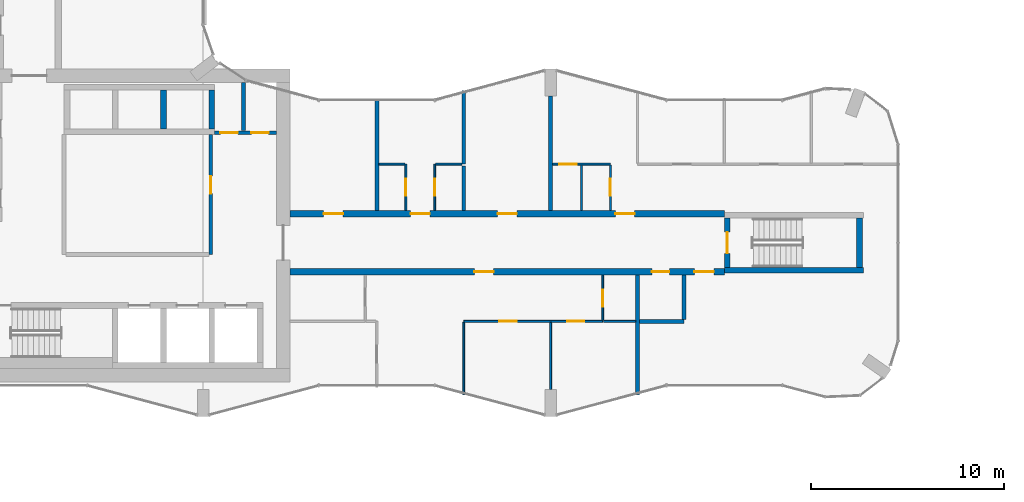
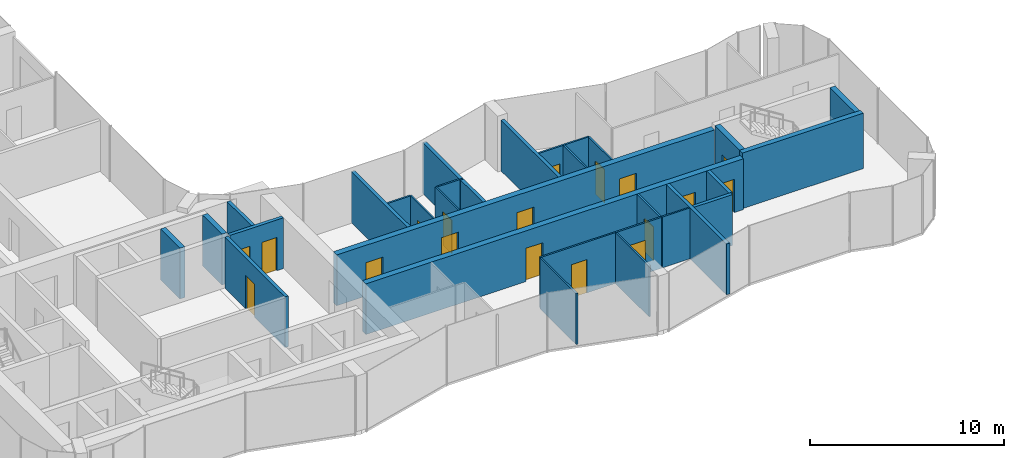
# One storey, part 14 of 22: 29 walls, 18 doors, 18 openings.
"""IFC4 building model written with IfcOpenShell, lengths in metres."""

from ifc_helpers import new_model, si_unit, direction, frame, frame_2d, origin, place, context, subcontext, project, spatial, rectangle, extrude, material, layer, layer_set, type_object, element, fill, save


model = new_model("IFC4")

# Units and contexts
model_context = context("Model", 3, precision=1e-05, world=origin(), true_north=direction((0.0, 1.0)))
body_context = subcontext(model_context, "Body", "Model", "MODEL_VIEW")
ifc_project = project(units=[si_unit("LENGTHUNIT", "METRE"), si_unit("AREAUNIT", "SQUARE_METRE"), si_unit("VOLUMEUNIT", "CUBIC_METRE"), si_unit("PLANEANGLEUNIT", "RADIAN"), si_unit("MASSUNIT", "GRAM", prefix="KILO")], contexts=[model_context])

# Site, building, storey
site_placement = place(None, origin())
site = spatial("IfcSite", under=ifc_project, at=site_placement, CompositionType="ELEMENT")
building_placement = place(site_placement, origin())
building = spatial("IfcBuilding", under=site, at=building_placement, Name="Plateau Cross Towers", CompositionType="ELEMENT")
storey_placement = place(building_placement, frame((0.0, 0.0, 68.800048828125)))
storey = spatial("IfcBuildingStorey", under=building, at=storey_placement, Name="L17", CompositionType="ELEMENT", Elevation=68.800048828125)

# Wall, opening, door
ifc_material_1 = material(Name="Concrete block, plastered both sides", Category="concrete")
ifc_layer_1 = layer(ifc_material_1, 0.199951171875)
ifc_layer_set_1 = layer_set([ifc_layer_1], Name="Concrete block, plastered both sides")
wall_type_1 = type_object("IfcWallType", Name="Core partition 200", PredefinedType="PARTITIONING", material=ifc_layer_set_1)
wall_1_placement = place(storey_placement, frame((18.39990234375, 8.39990234375, 0.0), z_axis=(0.0, 0.0, 1.0), x_axis=(0.0, 1.0, 0.0)))
wall_1 = element("IfcWall", 1, at=wall_1_placement, inside=storey, type_object=wall_type_1, Name="Core partition", PredefinedType="PARTITIONING", context=body_context, shape_type="SweptSolid", body=[
    extrude(rectangle(XDim=6.2001953125, YDim=0.199951171875, at=frame_2d((3.10009765625, 0.0))), origin(), (0.0, 0.0, 1.0), 3.199951171875),
])
opening_1_placement = place(wall_1_placement, frame((3.14990234375, 0.0, 0.0)))
opening_1 = element("IfcOpeningElement", 2, at=opening_1_placement, cuts=wall_1, Name="Opening RD1", PredefinedType="OPENING", context=body_context, shape_type="SweptSolid", body=[
    extrude(rectangle(XDim=0.89990234375, YDim=2.10009765625, at=frame_2d((0.449951171875, 1.050048828125))), frame((0.0, 0.10986328125, 0.0), z_axis=(0.0, -1.0, 0.0), x_axis=(1.0, 0.0, 0.0)), (0.0, 0.0, 1.0), 0.219970703125),
])
ifc_material_2 = material(Name="Timber, fire-resisting leaf", Category="wood")
door_type_1 = type_object("IfcDoorType", Name="Core service door 900", OperationType="NOTDEFINED", PredefinedType="DOOR", material=ifc_material_2)
door_1_placement = place(opening_1_placement, origin())
door_1 = element("IfcDoor", 3, at=door_1_placement, inside=storey, type_object=door_type_1, Name="Core service door RD1", OperationType="SINGLE_SWING_LEFT", OverallHeight=2.10009765625, OverallWidth=0.89990234375, PredefinedType="DOOR", context=body_context, shape_type="SweptSolid", body=[
    extrude(rectangle(XDim=0.89990234375, YDim=2.10009765625, at=frame_2d((0.449951171875, 1.050048828125))), frame((0.0, 0.02490234375, 0.0), z_axis=(0.0, -1.0, 0.0), x_axis=(1.0, 0.0, 0.0)), (0.0, 0.0, 1.0), 0.050048828125),
])
fill(opening_1, door_1)

# Wall, openings, doors
wall_2_placement = place(storey_placement, frame((18.60009765625, 14.699951171875, 0.0), z_axis=(0.0, 0.0, 1.0), x_axis=(1.0, 0.0, 0.0)))
wall_2 = element("IfcWall", 4, at=wall_2_placement, inside=storey, type_object=wall_type_1, Name="Core partition", PredefinedType="PARTITIONING", context=body_context, shape_type="SweptSolid", body=[
    extrude(rectangle(XDim=3.199951171875, YDim=0.199951171875, at=frame_2d((1.60009765625, 0.0))), origin(), (0.0, 0.0, 1.0), 3.199951171875),
])
opening_2_placement = place(wall_2_placement, frame((0.300048828125, 0.0, 0.0)))
opening_2 = element("IfcOpeningElement", 5, at=opening_2_placement, cuts=wall_2, Name="Opening RD2", PredefinedType="OPENING", context=body_context, shape_type="SweptSolid", body=[
    extrude(rectangle(XDim=0.89990234375, YDim=2.10009765625, at=frame_2d((0.449951171875, 1.050048828125))), frame((0.0, 0.10986328125, 0.0), z_axis=(0.0, -1.0, 0.0), x_axis=(1.0, 0.0, 0.0)), (0.0, 0.0, 1.0), 0.219970703125),
])
opening_3_placement = place(wall_2_placement, frame((1.89990234375, 0.0, 0.0)))
opening_3 = element("IfcOpeningElement", 6, at=opening_3_placement, cuts=wall_2, Name="Opening RD2", PredefinedType="OPENING", context=body_context, shape_type="SweptSolid", body=[
    extrude(rectangle(XDim=0.89990234375, YDim=2.10009765625, at=frame_2d((0.449951171875, 1.050048828125))), frame((0.0, 0.10986328125, 0.0), z_axis=(0.0, -1.0, 0.0), x_axis=(1.0, 0.0, 0.0)), (0.0, 0.0, 1.0), 0.219970703125),
])
ifc_material_3 = material(Name="Steel, fire-resisting leaf", Category="steel")
door_type_2 = type_object("IfcDoorType", Name="Core riser door 900", OperationType="NOTDEFINED", PredefinedType="DOOR", material=ifc_material_3)
door_2_placement = place(opening_2_placement, origin())
door_2 = element("IfcDoor", 7, at=door_2_placement, inside=storey, type_object=door_type_2, Name="Core riser door RD2", OperationType="SINGLE_SWING_LEFT", OverallHeight=2.10009765625, OverallWidth=0.89990234375, PredefinedType="DOOR", context=body_context, shape_type="SweptSolid", body=[
    extrude(rectangle(XDim=0.89990234375, YDim=2.10009765625, at=frame_2d((0.449951171875, 1.050048828125))), frame((0.0, 0.02490234375, 0.0), z_axis=(0.0, -1.0, 0.0), x_axis=(1.0, 0.0, 0.0)), (0.0, 0.0, 1.0), 0.050048828125),
])
fill(opening_2, door_2)
door_3_placement = place(opening_3_placement, origin())
door_3 = element("IfcDoor", 8, at=door_3_placement, inside=storey, type_object=door_type_2, Name="Core riser door RD2", OperationType="SINGLE_SWING_LEFT", OverallHeight=2.10009765625, OverallWidth=0.89990234375, PredefinedType="DOOR", context=body_context, shape_type="SweptSolid", body=[
    extrude(rectangle(XDim=0.89990234375, YDim=2.10009765625, at=frame_2d((0.449951171875, 1.050048828125))), frame((0.0, 0.02490234375, 0.0), z_axis=(0.0, -1.0, 0.0), x_axis=(1.0, 0.0, 0.0)), (0.0, 0.0, 1.0), 0.050048828125),
])
fill(opening_3, door_3)

# Walls
wall_3_placement = place(storey_placement, frame((20.10009765625, 14.800048828125, 0.0), z_axis=(0.0, 0.0, 1.0), x_axis=(0.0, 1.0, 0.0)))
element("IfcWall", 9, at=wall_3_placement, inside=storey, type_object=wall_type_1, Name="Core partition", PredefinedType="PARTITIONING", context=body_context, shape_type="SweptSolid", body=[
    extrude(rectangle(XDim=2.5, YDim=0.199951171875, at=frame_2d((1.25, 0.0))), origin(), (0.0, 0.0, 1.0), 3.199951171875),
])
ifc_material_4 = material(Name="Concrete C60/75", Category="concrete")
ifc_layer_2 = layer(ifc_material_4, 0.300048828125)
ifc_layer_set_2 = layer_set([ifc_layer_2], Name="Concrete C60/75")
wall_type_2 = type_object("IfcWallType", Name="Core shaft wall 300", PredefinedType="SHEAR", material=ifc_layer_set_2)
for number, where, z_axis, x_axis, name in (
    (10, (15.949951171875, 14.89990234375, 0.0), (0.0, 0.0, 1.0), (0.0, 1.0, 0.0), "A-nb-v3@L17"),
    (11, (18.449951171875, 14.89990234375, 0.0), (0.0, 0.0, 1.0), (0.0, 1.0, 0.0), "A-nb-v4@L17"),
):
    element("IfcWall", number, at=place(storey_placement, frame(where, z_axis=z_axis, x_axis=x_axis)), inside=storey, type_object=wall_type_2, Name=name, PredefinedType="SHEAR", context=body_context, shape_type="SweptSolid", body=[
        extrude(rectangle(XDim=2.0, YDim=0.300048828125, at=frame_2d((1.0, 0.0))), origin(), (0.0, 0.0, 1.0), 3.199951171875),
    ])

# Wall, openings, doors
ifc_layer_3 = layer(ifc_material_4, 0.35009765625)
ifc_layer_set_3 = layer_set([ifc_layer_3], Name="Concrete C60/75")
wall_type_3 = type_object("IfcWallType", Name="Corridor wall 350", PredefinedType="SHEAR", material=ifc_layer_set_3)
wall_4_placement = place(storey_placement, frame((22.5, 7.5, 0.0), z_axis=(0.0, 0.0, 1.0), x_axis=(1.0, 0.0, 0.0)))
wall_4 = element("IfcWall", 12, at=wall_4_placement, inside=storey, type_object=wall_type_3, Name="A-cw-S1@L17", PredefinedType="SHEAR", context=body_context, shape_type="SweptSolid", body=[
    extrude(rectangle(XDim=22.5, YDim=0.35009765625, at=frame_2d((11.25, 0.0))), origin(), (0.0, 0.0, 1.0), 3.199951171875),
])
opening_4_placement = place(wall_4_placement, frame((9.550048828125, 0.0, 0.0)))
opening_4 = element("IfcOpeningElement", 13, at=opening_4_placement, cuts=wall_4, Name="Opening 17-01", PredefinedType="OPENING", context=body_context, shape_type="SweptSolid", body=[
    extrude(rectangle(XDim=1.0, YDim=2.10009765625, at=frame_2d((0.5, 1.050048828125))), frame((0.0, 0.18505859375, 0.0), z_axis=(0.0, -1.0, 0.0), x_axis=(1.0, 0.0, 0.0)), (0.0, 0.0, 1.0), 0.3701171875),
])
opening_5_placement = place(wall_4_placement, frame((18.75, 0.0, 0.0)))
opening_5 = element("IfcOpeningElement", 14, at=opening_5_placement, cuts=wall_4, Name="Opening 17-02", PredefinedType="OPENING", context=body_context, shape_type="SweptSolid", body=[
    extrude(rectangle(XDim=0.89990234375, YDim=2.10009765625, at=frame_2d((0.449951171875, 1.050048828125))), frame((0.0, 0.18505859375, 0.0), z_axis=(0.0, -1.0, 0.0), x_axis=(1.0, 0.0, 0.0)), (0.0, 0.0, 1.0), 0.3701171875),
])
opening_6_placement = place(wall_4_placement, frame((20.949951171875, 0.0, 0.0)))
opening_6 = element("IfcOpeningElement", 15, at=opening_6_placement, cuts=wall_4, Name="Opening 17-03", PredefinedType="OPENING", context=body_context, shape_type="SweptSolid", body=[
    extrude(rectangle(XDim=1.0, YDim=2.10009765625, at=frame_2d((0.5, 1.050048828125))), frame((0.0, 0.18505859375, 0.0), z_axis=(0.0, -1.0, 0.0), x_axis=(1.0, 0.0, 0.0)), (0.0, 0.0, 1.0), 0.3701171875),
])
door_type_3 = type_object("IfcDoorType", Name="Flat entrance door 1000", OperationType="NOTDEFINED", PredefinedType="DOOR", material=ifc_material_2)
door_4_placement = place(opening_4_placement, origin())
door_4 = element("IfcDoor", 16, at=door_4_placement, inside=storey, type_object=door_type_3, Name="Door 17-01", OperationType="SINGLE_SWING_LEFT", OverallHeight=2.10009765625, OverallWidth=1.0, PredefinedType="DOOR", context=body_context, shape_type="SweptSolid", body=[
    extrude(rectangle(XDim=1.0, YDim=2.10009765625, at=frame_2d((0.5, 1.050048828125))), frame((0.0, 0.02490234375, 0.0), z_axis=(0.0, -1.0, 0.0), x_axis=(1.0, 0.0, 0.0)), (0.0, 0.0, 1.0), 0.050048828125),
])
fill(opening_4, door_4)
door_5_placement = place(opening_6_placement, origin())
door_5 = element("IfcDoor", 17, at=door_5_placement, inside=storey, type_object=door_type_3, Name="Door 17-03", OperationType="SINGLE_SWING_RIGHT", OverallHeight=2.10009765625, OverallWidth=1.0, PredefinedType="DOOR", context=body_context, shape_type="SweptSolid", body=[
    extrude(rectangle(XDim=1.0, YDim=2.10009765625, at=frame_2d((0.5, 1.050048828125))), frame((0.0, 0.02490234375, 0.0), z_axis=(0.0, -1.0, 0.0), x_axis=(1.0, 0.0, 0.0)), (0.0, 0.0, 1.0), 0.050048828125),
])
fill(opening_6, door_5)
door_type_4 = type_object("IfcDoorType", Name="Flat floor service door 900", OperationType="NOTDEFINED", PredefinedType="DOOR", material=ifc_material_2)
door_6_placement = place(opening_5_placement, origin())
door_6 = element("IfcDoor", 18, at=door_6_placement, inside=storey, type_object=door_type_4, Name="Door 17-02", OperationType="SINGLE_SWING_RIGHT", OverallHeight=2.10009765625, OverallWidth=0.89990234375, PredefinedType="DOOR", context=body_context, shape_type="SweptSolid", body=[
    extrude(rectangle(XDim=0.89990234375, YDim=2.10009765625, at=frame_2d((0.449951171875, 1.050048828125))), frame((0.0, 0.02490234375, 0.0), z_axis=(0.0, -1.0, 0.0), x_axis=(1.0, 0.0, 0.0)), (0.0, 0.0, 1.0), 0.050048828125),
])
fill(opening_5, door_6)

wall_5_placement = place(storey_placement, frame((22.5, 10.5, 0.0), z_axis=(0.0, 0.0, 1.0), x_axis=(1.0, 0.0, 0.0)))
wall_5 = element("IfcWall", 19, at=wall_5_placement, inside=storey, type_object=wall_type_3, Name="A-cw-S2@L17", PredefinedType="SHEAR", context=body_context, shape_type="SweptSolid", body=[
    extrude(rectangle(XDim=22.5, YDim=0.35009765625, at=frame_2d((11.25, 0.0))), origin(), (0.0, 0.0, 1.0), 3.199951171875),
])
opening_7_placement = place(wall_5_placement, frame((1.75, 0.0, 0.0)))
opening_7 = element("IfcOpeningElement", 20, at=opening_7_placement, cuts=wall_5, Name="Opening 17-04", PredefinedType="OPENING", context=body_context, shape_type="SweptSolid", body=[
    extrude(rectangle(XDim=1.0, YDim=2.10009765625, at=frame_2d((0.5, 1.050048828125))), frame((0.0, 0.18505859375, 0.0), z_axis=(0.0, -1.0, 0.0), x_axis=(1.0, 0.0, 0.0)), (0.0, 0.0, 1.0), 0.3701171875),
])
opening_8_placement = place(wall_5_placement, frame((6.25, 0.0, 0.0)))
opening_8 = element("IfcOpeningElement", 21, at=opening_8_placement, cuts=wall_5, Name="Opening 17-05", PredefinedType="OPENING", context=body_context, shape_type="SweptSolid", body=[
    extrude(rectangle(XDim=1.0, YDim=2.10009765625, at=frame_2d((0.5, 1.050048828125))), frame((0.0, 0.18505859375, 0.0), z_axis=(0.0, -1.0, 0.0), x_axis=(1.0, 0.0, 0.0)), (0.0, 0.0, 1.0), 0.3701171875),
])
opening_9_placement = place(wall_5_placement, frame((10.75, 0.0, 0.0)))
opening_9 = element("IfcOpeningElement", 22, at=opening_9_placement, cuts=wall_5, Name="Opening 17-06", PredefinedType="OPENING", context=body_context, shape_type="SweptSolid", body=[
    extrude(rectangle(XDim=1.0, YDim=2.10009765625, at=frame_2d((0.5, 1.050048828125))), frame((0.0, 0.18505859375, 0.0), z_axis=(0.0, -1.0, 0.0), x_axis=(1.0, 0.0, 0.0)), (0.0, 0.0, 1.0), 0.3701171875),
])
opening_10_placement = place(wall_5_placement, frame((16.85009765625, 0.0, 0.0)))
opening_10 = element("IfcOpeningElement", 23, at=opening_10_placement, cuts=wall_5, Name="Opening 17-07", PredefinedType="OPENING", context=body_context, shape_type="SweptSolid", body=[
    extrude(rectangle(XDim=1.0, YDim=2.10009765625, at=frame_2d((0.5, 1.050048828125))), frame((0.0, 0.18505859375, 0.0), z_axis=(0.0, -1.0, 0.0), x_axis=(1.0, 0.0, 0.0)), (0.0, 0.0, 1.0), 0.3701171875),
])
door_7_placement = place(opening_7_placement, origin())
door_7 = element("IfcDoor", 24, at=door_7_placement, inside=storey, type_object=door_type_3, Name="Door 17-04", OperationType="SINGLE_SWING_LEFT", OverallHeight=2.10009765625, OverallWidth=1.0, PredefinedType="DOOR", context=body_context, shape_type="SweptSolid", body=[
    extrude(rectangle(XDim=1.0, YDim=2.10009765625, at=frame_2d((0.5, 1.050048828125))), frame((0.0, 0.02490234375, 0.0), z_axis=(0.0, -1.0, 0.0), x_axis=(1.0, 0.0, 0.0)), (0.0, 0.0, 1.0), 0.050048828125),
])
fill(opening_7, door_7)
door_8_placement = place(opening_8_placement, origin())
door_8 = element("IfcDoor", 25, at=door_8_placement, inside=storey, type_object=door_type_3, Name="Door 17-05", OperationType="SINGLE_SWING_LEFT", OverallHeight=2.10009765625, OverallWidth=1.0, PredefinedType="DOOR", context=body_context, shape_type="SweptSolid", body=[
    extrude(rectangle(XDim=1.0, YDim=2.10009765625, at=frame_2d((0.5, 1.050048828125))), frame((0.0, 0.02490234375, 0.0), z_axis=(0.0, -1.0, 0.0), x_axis=(1.0, 0.0, 0.0)), (0.0, 0.0, 1.0), 0.050048828125),
])
fill(opening_8, door_8)
door_9_placement = place(opening_9_placement, origin())
door_9 = element("IfcDoor", 26, at=door_9_placement, inside=storey, type_object=door_type_3, Name="Door 17-06", OperationType="SINGLE_SWING_LEFT", OverallHeight=2.10009765625, OverallWidth=1.0, PredefinedType="DOOR", context=body_context, shape_type="SweptSolid", body=[
    extrude(rectangle(XDim=1.0, YDim=2.10009765625, at=frame_2d((0.5, 1.050048828125))), frame((0.0, 0.02490234375, 0.0), z_axis=(0.0, -1.0, 0.0), x_axis=(1.0, 0.0, 0.0)), (0.0, 0.0, 1.0), 0.050048828125),
])
fill(opening_9, door_9)
door_10_placement = place(opening_10_placement, origin())
door_10 = element("IfcDoor", 27, at=door_10_placement, inside=storey, type_object=door_type_3, Name="Door 17-07", OperationType="SINGLE_SWING_RIGHT", OverallHeight=2.10009765625, OverallWidth=1.0, PredefinedType="DOOR", context=body_context, shape_type="SweptSolid", body=[
    extrude(rectangle(XDim=1.0, YDim=2.10009765625, at=frame_2d((0.5, 1.050048828125))), frame((0.0, 0.02490234375, 0.0), z_axis=(0.0, -1.0, 0.0), x_axis=(1.0, 0.0, 0.0)), (0.0, 0.0, 1.0), 0.050048828125),
])
fill(opening_10, door_10)

ifc_material_5 = material(Name="Gypsum board on steel studs", Category="steel")
ifc_layer_4 = layer(ifc_material_5, 0.10009765625)
ifc_layer_set_4 = layer_set([ifc_layer_4], Name="Gypsum board on steel studs")
wall_type_4 = type_object("IfcWallType", Name="Flat partition 100", PredefinedType="PARTITIONING", material=ifc_layer_set_4)
wall_6_placement = place(storey_placement, frame((38.699951171875, 4.925048828125, 0.0), z_axis=(0.0, 0.0, 1.0), x_axis=(-1.0, 0.0, 0.0)))
wall_6 = element("IfcWall", 28, at=wall_6_placement, inside=storey, type_object=wall_type_4, Name="Partition wall", PredefinedType="PARTITIONING", context=body_context, shape_type="SweptSolid", body=[
    extrude(rectangle(XDim=7.199951171875, YDim=0.10009765625, at=frame_2d((3.60009765625, 0.0))), origin(), (0.0, 0.0, 1.0), 3.199951171875),
])
opening_11_placement = place(wall_6_placement, frame((4.449951171875, 0.0, 0.0)))
opening_11 = element("IfcOpeningElement", 29, at=opening_11_placement, cuts=wall_6, Name="Opening 17-20", PredefinedType="OPENING", context=body_context, shape_type="SweptSolid", body=[
    extrude(rectangle(XDim=0.89990234375, YDim=2.10009765625, at=frame_2d((0.449951171875, 1.050048828125))), frame((0.0, 0.06005859375, 0.0), z_axis=(0.0, -1.0, 0.0), x_axis=(1.0, 0.0, 0.0)), (0.0, 0.0, 1.0), 0.1201171875),
])
opening_12_placement = place(wall_6_placement, frame((0.949951171875, 0.0, 0.0)))
opening_12 = element("IfcOpeningElement", 30, at=opening_12_placement, cuts=wall_6, Name="Opening 17-21", PredefinedType="OPENING", context=body_context, shape_type="SweptSolid", body=[
    extrude(rectangle(XDim=0.89990234375, YDim=2.10009765625, at=frame_2d((0.449951171875, 1.050048828125))), frame((0.0, 0.06005859375, 0.0), z_axis=(0.0, -1.0, 0.0), x_axis=(1.0, 0.0, 0.0)), (0.0, 0.0, 1.0), 0.1201171875),
])
ifc_material_6 = material(Name="Timber leaf", Category="wood")
door_type_5 = type_object("IfcDoorType", Name="Flat room door 900", OperationType="NOTDEFINED", PredefinedType="DOOR", material=ifc_material_6)
door_11_placement = place(opening_11_placement, origin())
door_11 = element("IfcDoor", 31, at=door_11_placement, inside=storey, type_object=door_type_5, Name="Door 17-20", OperationType="SINGLE_SWING_RIGHT", OverallHeight=2.10009765625, OverallWidth=0.89990234375, PredefinedType="DOOR", context=body_context, shape_type="SweptSolid", body=[
    extrude(rectangle(XDim=0.89990234375, YDim=2.10009765625, at=frame_2d((0.449951171875, 1.050048828125))), frame((0.0, 0.02490234375, 0.0), z_axis=(0.0, -1.0, 0.0), x_axis=(1.0, 0.0, 0.0)), (0.0, 0.0, 1.0), 0.050048828125),
])
fill(opening_11, door_11)
door_12_placement = place(opening_12_placement, origin())
door_12 = element("IfcDoor", 32, at=door_12_placement, inside=storey, type_object=door_type_5, Name="Door 17-21", OperationType="SINGLE_SWING_LEFT", OverallHeight=2.10009765625, OverallWidth=0.89990234375, PredefinedType="DOOR", context=body_context, shape_type="SweptSolid", body=[
    extrude(rectangle(XDim=0.89990234375, YDim=2.10009765625, at=frame_2d((0.449951171875, 1.050048828125))), frame((0.0, 0.02490234375, 0.0), z_axis=(0.0, -1.0, 0.0), x_axis=(1.0, 0.0, 0.0)), (0.0, 0.0, 1.0), 0.050048828125),
])
fill(opening_12, door_12)

# Walls
wall_7_placement = place(storey_placement, frame((38.75, 4.925048828125, 0.0), z_axis=(0.0, 0.0, 1.0), x_axis=(1.0, 0.0, 0.0)))
element("IfcWall", 33, at=wall_7_placement, inside=storey, type_object=wall_type_4, Name="Partition wall", PredefinedType="PARTITIONING", context=body_context, shape_type="SweptSolid", body=[
    extrude(rectangle(XDim=1.64990234375, YDim=0.10009765625, at=frame_2d((0.824951171875, 0.0))), origin(), (0.0, 0.0, 1.0), 3.199951171875),
])
for number, where, z_axis, x_axis, name in (
    (34, (28.449951171875, 13.074951171875, 0.0), (0.0, 0.0, 1.0), (-1.0, 0.0, 0.0), "Partition wall"),
    (35, (31.39990234375, 13.074951171875, 0.0), (0.0, 0.0, 1.0), (-1.0, 0.0, 0.0), "Partition wall"),
):
    element("IfcWall", number, at=place(storey_placement, frame(where, z_axis=z_axis, x_axis=x_axis)), inside=storey, type_object=wall_type_4, Name=name, PredefinedType="PARTITIONING", context=body_context, shape_type="SweptSolid", body=[
        extrude(rectangle(XDim=1.349853515625, YDim=0.10009765625, at=frame_2d((0.6748046875, 0.0))), origin(), (0.0, 0.0, 1.0), 3.199951171875),
    ])

# Wall, opening, door
wall_8_placement = place(storey_placement, frame((39.10009765625, 13.074951171875, 0.0), z_axis=(0.0, 0.0, 1.0), x_axis=(-1.0, 0.0, 0.0)))
wall_8 = element("IfcWall", 36, at=wall_8_placement, inside=storey, type_object=wall_type_4, Name="Partition wall", PredefinedType="PARTITIONING", context=body_context, shape_type="SweptSolid", body=[
    extrude(rectangle(XDim=3.0, YDim=0.10009765625, at=frame_2d((1.5, 0.0))), origin(), (0.0, 0.0, 1.0), 3.199951171875),
])
opening_13_placement = place(wall_8_placement, frame((1.75, 0.0, 0.0)))
opening_13 = element("IfcOpeningElement", 37, at=opening_13_placement, cuts=wall_8, Name="Opening 17-24", PredefinedType="OPENING", context=body_context, shape_type="SweptSolid", body=[
    extrude(rectangle(XDim=0.89990234375, YDim=2.10009765625, at=frame_2d((0.449951171875, 1.050048828125))), frame((0.0, 0.06005859375, 0.0), z_axis=(0.0, -1.0, 0.0), x_axis=(1.0, 0.0, 0.0)), (0.0, 0.0, 1.0), 0.1201171875),
])
door_13_placement = place(opening_13_placement, origin())
door_13 = element("IfcDoor", 38, at=door_13_placement, inside=storey, type_object=door_type_5, Name="Door 17-24", OperationType="SINGLE_SWING_RIGHT", OverallHeight=2.10009765625, OverallWidth=0.89990234375, PredefinedType="DOOR", context=body_context, shape_type="SweptSolid", body=[
    extrude(rectangle(XDim=0.89990234375, YDim=2.10009765625, at=frame_2d((0.449951171875, 1.050048828125))), frame((0.0, 0.02490234375, 0.0), z_axis=(0.0, -1.0, 0.0), x_axis=(1.0, 0.0, 0.0)), (0.0, 0.0, 1.0), 0.050048828125),
])
fill(opening_13, door_13)

wall_9_placement = place(storey_placement, frame((28.5, 10.675048828125, 0.0), z_axis=(0.0, 0.0, 1.0), x_axis=(0.0, 1.0, 0.0)))
wall_9 = element("IfcWall", 39, at=wall_9_placement, inside=storey, type_object=wall_type_4, Name="Partition wall", PredefinedType="PARTITIONING", context=body_context, shape_type="SweptSolid", body=[
    extrude(rectangle(XDim=2.39990234375, YDim=0.10009765625, at=frame_2d((1.199951171875, 0.0))), origin(), (0.0, 0.0, 1.0), 3.199951171875),
])
opening_14_placement = place(wall_9_placement, frame((0.75, 0.0, 0.0)))
opening_14 = element("IfcOpeningElement", 40, at=opening_14_placement, cuts=wall_9, Name="Opening 17-22", PredefinedType="OPENING", context=body_context, shape_type="SweptSolid", body=[
    extrude(rectangle(XDim=0.89990234375, YDim=2.10009765625, at=frame_2d((0.449951171875, 1.050048828125))), frame((0.0, 0.06005859375, 0.0), z_axis=(0.0, -1.0, 0.0), x_axis=(1.0, 0.0, 0.0)), (0.0, 0.0, 1.0), 0.1201171875),
])
door_14_placement = place(opening_14_placement, origin())
door_14 = element("IfcDoor", 41, at=door_14_placement, inside=storey, type_object=door_type_5, Name="Door 17-22", OperationType="SINGLE_SWING_RIGHT", OverallHeight=2.10009765625, OverallWidth=0.89990234375, PredefinedType="DOOR", context=body_context, shape_type="SweptSolid", body=[
    extrude(rectangle(XDim=0.89990234375, YDim=2.10009765625, at=frame_2d((0.449951171875, 1.050048828125))), frame((0.0, 0.02490234375, 0.0), z_axis=(0.0, -1.0, 0.0), x_axis=(1.0, 0.0, 0.0)), (0.0, 0.0, 1.0), 0.050048828125),
])
fill(opening_14, door_14)

wall_10_placement = place(storey_placement, frame((30.0, 13.074951171875, 0.0), z_axis=(0.0, 0.0, 1.0), x_axis=(0.0, -1.0, 0.0)))
wall_10 = element("IfcWall", 42, at=wall_10_placement, inside=storey, type_object=wall_type_4, Name="Partition wall", PredefinedType="PARTITIONING", context=body_context, shape_type="SweptSolid", body=[
    extrude(rectangle(XDim=2.39990234375, YDim=0.10009765625, at=frame_2d((1.199951171875, 0.0))), origin(), (0.0, 0.0, 1.0), 3.199951171875),
])
opening_15_placement = place(wall_10_placement, frame((0.75, 0.0, 0.0)))
opening_15 = element("IfcOpeningElement", 43, at=opening_15_placement, cuts=wall_10, Name="Opening 17-23", PredefinedType="OPENING", context=body_context, shape_type="SweptSolid", body=[
    extrude(rectangle(XDim=0.89990234375, YDim=2.10009765625, at=frame_2d((0.449951171875, 1.050048828125))), frame((0.0, 0.06005859375, 0.0), z_axis=(0.0, -1.0, 0.0), x_axis=(1.0, 0.0, 0.0)), (0.0, 0.0, 1.0), 0.1201171875),
])
door_15_placement = place(opening_15_placement, origin())
door_15 = element("IfcDoor", 44, at=door_15_placement, inside=storey, type_object=door_type_5, Name="Door 17-23", OperationType="SINGLE_SWING_RIGHT", OverallHeight=2.10009765625, OverallWidth=0.89990234375, PredefinedType="DOOR", context=body_context, shape_type="SweptSolid", body=[
    extrude(rectangle(XDim=0.89990234375, YDim=2.10009765625, at=frame_2d((0.449951171875, 1.050048828125))), frame((0.0, 0.02490234375, 0.0), z_axis=(0.0, -1.0, 0.0), x_axis=(1.0, 0.0, 0.0)), (0.0, 0.0, 1.0), 0.050048828125),
])
fill(opening_15, door_15)

# Walls
wall_11_placement = place(storey_placement, frame((31.5, 4.875, 0.0), z_axis=(0.0, 0.0, 1.0), x_axis=(0.0, -1.0, 0.0)))
element("IfcWall", 45, at=wall_11_placement, inside=storey, type_object=wall_type_4, Name="Partition wall", PredefinedType="PARTITIONING", context=body_context, shape_type="SweptSolid", body=[
    extrude(rectangle(XDim=3.752685546875, YDim=0.10009765625, at=frame_2d((1.87646484375, 0.0))), origin(), (0.0, 0.0, 1.0), 3.199951171875),
])
wall_12_placement = place(storey_placement, frame((36.0, 1.39990234375, 0.0), z_axis=(0.0, 0.0, 1.0), x_axis=(0.0, 1.0, 0.0)))
element("IfcWall", 46, at=wall_12_placement, inside=storey, type_object=wall_type_4, Name="Partition wall", PredefinedType="PARTITIONING", context=body_context, shape_type="SweptSolid", body=[
    extrude(rectangle(XDim=3.47509765625, YDim=0.10009765625, at=frame_2d((1.737548828125, 0.0))), origin(), (0.0, 0.0, 1.0), 3.199951171875),
])
wall_13_placement = place(storey_placement, frame((37.60009765625, 10.675048828125, 0.0), z_axis=(0.0, 0.0, 1.0), x_axis=(0.0, 1.0, 0.0)))
element("IfcWall", 47, at=wall_13_placement, inside=storey, type_object=wall_type_4, Name="Partition wall", PredefinedType="PARTITIONING", context=body_context, shape_type="SweptSolid", body=[
    extrude(rectangle(XDim=2.349853515625, YDim=0.10009765625, at=frame_2d((1.1748046875, 0.0))), origin(), (0.0, 0.0, 1.0), 3.199951171875),
])

# Wall, opening, door
wall_14_placement = place(storey_placement, frame((38.699951171875, 7.324951171875, 0.0), z_axis=(0.0, 0.0, 1.0), x_axis=(0.0, -1.0, 0.0)))
wall_14 = element("IfcWall", 48, at=wall_14_placement, inside=storey, type_object=wall_type_4, Name="Partition wall", PredefinedType="PARTITIONING", context=body_context, shape_type="SweptSolid", body=[
    extrude(rectangle(XDim=2.349853515625, YDim=0.10009765625, at=frame_2d((1.1748046875, 0.0))), origin(), (0.0, 0.0, 1.0), 3.199951171875),
])
opening_16_placement = place(wall_14_placement, frame((0.75, 0.0, 0.0)))
opening_16 = element("IfcOpeningElement", 49, at=opening_16_placement, cuts=wall_14, Name="Opening 17-18", PredefinedType="OPENING", context=body_context, shape_type="SweptSolid", body=[
    extrude(rectangle(XDim=0.89990234375, YDim=2.10009765625, at=frame_2d((0.449951171875, 1.050048828125))), frame((0.0, 0.06005859375, 0.0), z_axis=(0.0, -1.0, 0.0), x_axis=(1.0, 0.0, 0.0)), (0.0, 0.0, 1.0), 0.1201171875),
])
door_16_placement = place(opening_16_placement, origin())
door_16 = element("IfcDoor", 50, at=door_16_placement, inside=storey, type_object=door_type_5, Name="Door 17-18", OperationType="SINGLE_SWING_RIGHT", OverallHeight=2.10009765625, OverallWidth=0.89990234375, PredefinedType="DOOR", context=body_context, shape_type="SweptSolid", body=[
    extrude(rectangle(XDim=0.89990234375, YDim=2.10009765625, at=frame_2d((0.449951171875, 1.050048828125))), frame((0.0, 0.02490234375, 0.0), z_axis=(0.0, -1.0, 0.0), x_axis=(1.0, 0.0, 0.0)), (0.0, 0.0, 1.0), 0.050048828125),
])
fill(opening_16, door_16)

wall_15_placement = place(storey_placement, frame((39.10009765625, 10.675048828125, 0.0), z_axis=(0.0, 0.0, 1.0), x_axis=(0.0, 1.0, 0.0)))
wall_15 = element("IfcWall", 51, at=wall_15_placement, inside=storey, type_object=wall_type_4, Name="Partition wall", PredefinedType="PARTITIONING", context=body_context, shape_type="SweptSolid", body=[
    extrude(rectangle(XDim=2.349853515625, YDim=0.10009765625, at=frame_2d((1.1748046875, 0.0))), origin(), (0.0, 0.0, 1.0), 3.199951171875),
])
opening_17_placement = place(wall_15_placement, frame((0.75, 0.0, 0.0)))
opening_17 = element("IfcOpeningElement", 52, at=opening_17_placement, cuts=wall_15, Name="Opening 17-25", PredefinedType="OPENING", context=body_context, shape_type="SweptSolid", body=[
    extrude(rectangle(XDim=0.89990234375, YDim=2.10009765625, at=frame_2d((0.449951171875, 1.050048828125))), frame((0.0, 0.06005859375, 0.0), z_axis=(0.0, -1.0, 0.0), x_axis=(1.0, 0.0, 0.0)), (0.0, 0.0, 1.0), 0.1201171875),
])
door_17_placement = place(opening_17_placement, origin())
door_17 = element("IfcDoor", 53, at=door_17_placement, inside=storey, type_object=door_type_5, Name="Door 17-25", OperationType="SINGLE_SWING_RIGHT", OverallHeight=2.10009765625, OverallWidth=0.89990234375, PredefinedType="DOOR", context=body_context, shape_type="SweptSolid", body=[
    extrude(rectangle(XDim=0.89990234375, YDim=2.10009765625, at=frame_2d((0.449951171875, 1.050048828125))), frame((0.0, 0.02490234375, 0.0), z_axis=(0.0, -1.0, 0.0), x_axis=(1.0, 0.0, 0.0)), (0.0, 0.0, 1.0), 0.050048828125),
])
fill(opening_17, door_17)

# Walls
ifc_material_7 = material(Name="Gypsum board on steel studs, two layers each side", Category="steel")
ifc_layer_5 = layer(ifc_material_7, 0.199951171875)
ifc_layer_set_5 = layer_set([ifc_layer_5], Name="Gypsum board on steel studs, two layers each side")
wall_type_5 = type_object("IfcWallType", Name="Flat party wall 200", PredefinedType="PARTITIONING", material=ifc_layer_set_5)
wall_16_placement = place(storey_placement, frame((40.60009765625, 4.925048828125, 0.0), z_axis=(0.0, 0.0, 1.0), x_axis=(1.0, 0.0, 0.0)))
element("IfcWall", 54, at=wall_16_placement, inside=storey, type_object=wall_type_5, Name="Party wall", PredefinedType="PARTITIONING", context=body_context, shape_type="SweptSolid", body=[
    extrude(rectangle(XDim=2.2998046875, YDim=0.199951171875, at=frame_2d((1.14990234375, 0.0))), origin(), (0.0, 0.0, 1.0), 3.199951171875),
])
wall_17_placement = place(storey_placement, frame((27.0, 10.675048828125, 0.0), z_axis=(0.0, 0.0, 1.0), x_axis=(0.0, 1.0, 0.0)))
element("IfcWall", 55, at=wall_17_placement, inside=storey, type_object=wall_type_5, Name="Party wall", PredefinedType="PARTITIONING", context=body_context, shape_type="SweptSolid", body=[
    extrude(rectangle(XDim=5.798095703125, YDim=0.199951171875, at=frame_2d((2.89892578125, 0.0))), origin(), (0.0, 0.0, 1.0), 3.199951171875),
])
wall_18_placement = place(storey_placement, frame((31.5, 16.877685546875, 0.0), z_axis=(0.0, 0.0, 1.0), x_axis=(0.0, -1.0, 0.0)))
element("IfcWall", 56, at=wall_18_placement, inside=storey, type_object=wall_type_5, Name="Party wall", PredefinedType="PARTITIONING", context=body_context, shape_type="SweptSolid", body=[
    extrude(rectangle(XDim=3.802734375, YDim=0.199951171875, at=frame_2d((1.9013671875, 0.0))), origin(), (0.0, 0.0, 1.0), 3.199951171875),
])
wall_19_placement = place(storey_placement, frame((31.5, 10.675048828125, 0.0), z_axis=(0.0, 0.0, 1.0), x_axis=(0.0, 1.0, 0.0)))
element("IfcWall", 57, at=wall_19_placement, inside=storey, type_object=wall_type_5, Name="Party wall", PredefinedType="PARTITIONING", context=body_context, shape_type="SweptSolid", body=[
    extrude(rectangle(XDim=2.300048828125, YDim=0.199951171875, at=frame_2d((1.14990234375, 0.0))), origin(), (0.0, 0.0, 1.0), 3.199951171875),
])
wall_20_placement = place(storey_placement, frame((36.0, 10.675048828125, 0.0), z_axis=(0.0, 0.0, 1.0), x_axis=(0.0, 1.0, 0.0)))
element("IfcWall", 58, at=wall_20_placement, inside=storey, type_object=wall_type_5, Name="Party wall", PredefinedType="PARTITIONING", context=body_context, shape_type="SweptSolid", body=[
    extrude(rectangle(XDim=5.925048828125, YDim=0.199951171875, at=frame_2d((2.96240234375, 0.0))), origin(), (0.0, 0.0, 1.0), 3.199951171875),
])
wall_21_placement = place(storey_placement, frame((40.5, 1.122314453125, 0.0), z_axis=(0.0, 0.0, 1.0), x_axis=(0.0, 1.0, 0.0)))
element("IfcWall", 59, at=wall_21_placement, inside=storey, type_object=wall_type_5, Name="Party wall", PredefinedType="PARTITIONING", context=body_context, shape_type="SweptSolid", body=[
    extrude(rectangle(XDim=6.20263671875, YDim=0.199951171875, at=frame_2d((3.101318359375, 0.0))), origin(), (0.0, 0.0, 1.0), 3.199951171875),
])
wall_22_placement = place(storey_placement, frame((42.89990234375, 5.02490234375, 0.0), z_axis=(0.0, 0.0, 1.0), x_axis=(0.0, 1.0, 0.0)))
element("IfcWall", 60, at=wall_22_placement, inside=storey, type_object=wall_type_5, Name="Party wall", PredefinedType="PARTITIONING", context=body_context, shape_type="SweptSolid", body=[
    extrude(rectangle(XDim=2.300048828125, YDim=0.199951171875, at=frame_2d((1.14990234375, 0.0))), origin(), (0.0, 0.0, 1.0), 3.199951171875),
])

# Wall, opening, door
ifc_layer_6 = layer(ifc_material_4, 0.300048828125)
ifc_layer_set_6 = layer_set([ifc_layer_6], Name="Concrete C60/75")
wall_type_6 = type_object("IfcWallType", Name="Stair tower wall 300", PredefinedType="SHEAR", material=ifc_layer_set_6)
wall_23_placement = place(storey_placement, frame((45.14990234375, 7.72509765625, 0.0), z_axis=(0.0, 0.0, 1.0), x_axis=(0.0, 1.0, 0.0)))
wall_23 = element("IfcWall", 61, at=wall_23_placement, inside=storey, type_object=wall_type_6, Name="A-end-E-W@L17", PredefinedType="SHEAR", context=body_context, shape_type="SweptSolid", body=[
    extrude(rectangle(XDim=2.5498046875, YDim=0.300048828125, at=frame_2d((1.27490234375, 0.0))), origin(), (0.0, 0.0, 1.0), 3.5),
])
opening_18_placement = place(wall_23_placement, frame((0.72509765625, 0.0, 0.0)))
opening_18 = element("IfcOpeningElement", 62, at=opening_18_placement, cuts=wall_23, Name="Opening SD", PredefinedType="OPENING", context=body_context, shape_type="SweptSolid", body=[
    extrude(rectangle(XDim=1.10009765625, YDim=2.10009765625, at=frame_2d((0.550048828125, 1.050048828125))), frame((0.0, 0.159912109375, 0.0), z_axis=(0.0, -1.0, 0.0), x_axis=(1.0, 0.0, 0.0)), (0.0, 0.0, 1.0), 0.320068359375),
])
door_type_6 = type_object("IfcDoorType", Name="Stair door 1100", OperationType="NOTDEFINED", PredefinedType="DOOR", material=ifc_material_3)
door_18_placement = place(opening_18_placement, origin())
door_18 = element("IfcDoor", 63, at=door_18_placement, inside=storey, type_object=door_type_6, Name="Stair door SD", OperationType="SINGLE_SWING_LEFT", OverallHeight=2.10009765625, OverallWidth=1.10009765625, PredefinedType="DOOR", context=body_context, shape_type="SweptSolid", body=[
    extrude(rectangle(XDim=1.10009765625, YDim=2.10009765625, at=frame_2d((0.550048828125, 1.050048828125))), frame((0.0, 0.02490234375, 0.0), z_axis=(0.0, -1.0, 0.0), x_axis=(1.0, 0.0, 0.0)), (0.0, 0.0, 1.0), 0.050048828125),
])
fill(opening_18, door_18)

# Walls
wall_24_placement = place(storey_placement, frame((52.0, 7.72509765625, 0.0), z_axis=(0.0, 0.0, 1.0), x_axis=(0.0, 1.0, 0.0)))
element("IfcWall", 64, at=wall_24_placement, inside=storey, type_object=wall_type_6, Name="A-end-E-E@L17", PredefinedType="SHEAR", context=body_context, shape_type="SweptSolid", body=[
    extrude(rectangle(XDim=2.5498046875, YDim=0.300048828125, at=frame_2d((1.27490234375, 0.0))), origin(), (0.0, 0.0, 1.0), 3.5),
])
wall_25_placement = place(storey_placement, frame((45.0, 7.574951171875, 0.0), z_axis=(0.0, 0.0, 1.0), x_axis=(1.0, 0.0, 0.0)))
element("IfcWall", 65, at=wall_25_placement, inside=storey, type_object=wall_type_6, Name="A-end-E-S@L17", PredefinedType="SHEAR", context=body_context, shape_type="SweptSolid", body=[
    extrude(rectangle(XDim=7.199951171875, YDim=0.300048828125, at=frame_2d((3.60009765625, 0.0))), origin(), (0.0, 0.0, 1.0), 3.5),
])

save(model, "model.ifc")
